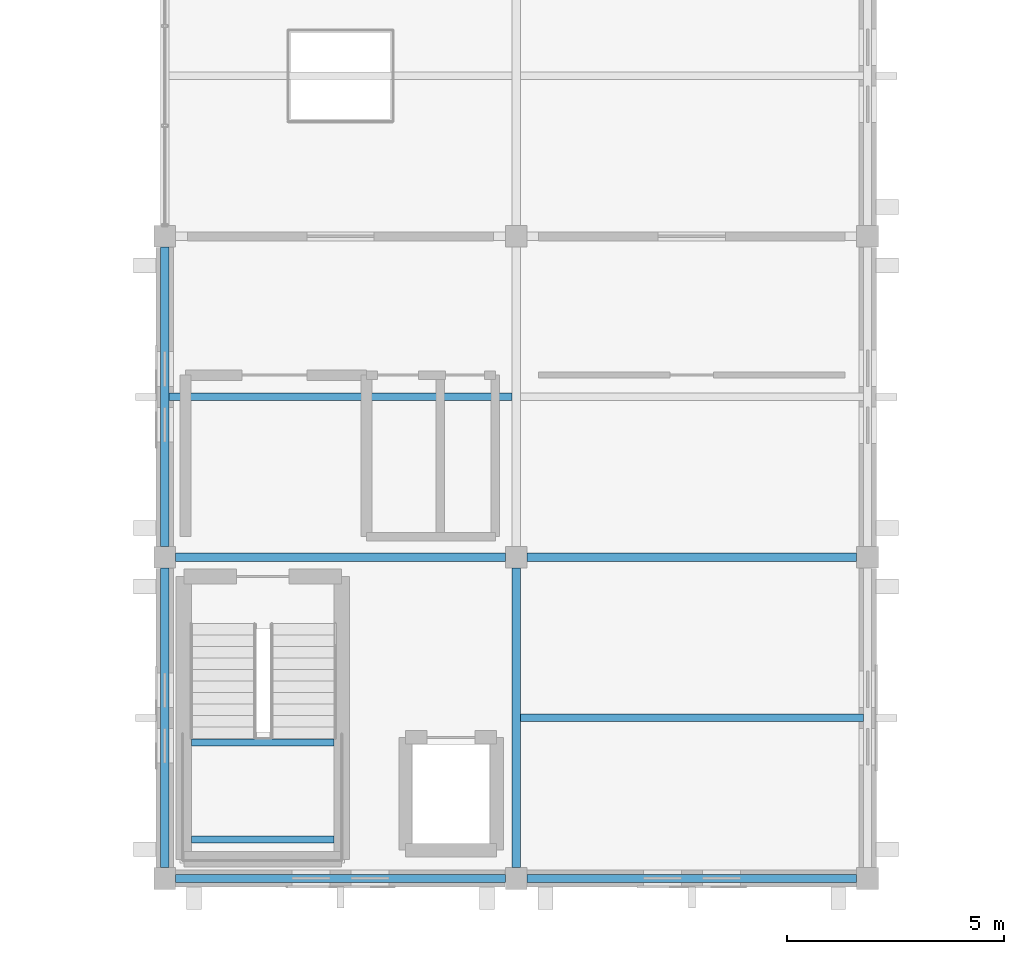
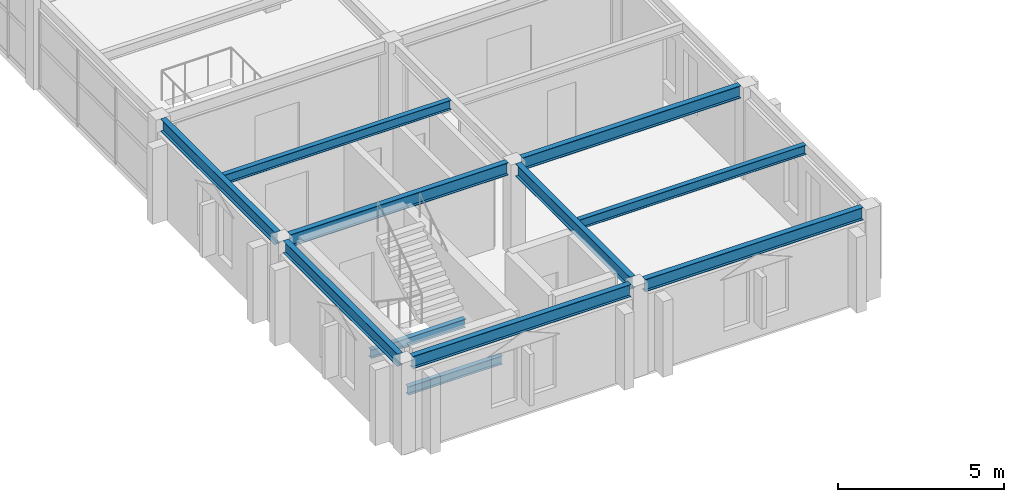
# One storey, part 35 of 93: 11 beams.
"""IFC4 building model written with IfcOpenShell, lengths in metres."""

from ifc_helpers import new_model, si_unit, direction, frame, origin, origin_2d, place, context, subcontext, project, spatial, i_section, extrude, material, material_profile, profile_set, type_object, element, save


model = new_model("IFC4")

# Units and contexts
model_context = context("Model", 3, precision=1e-05, world=origin(), true_north=direction((0.0, 1.0)))
body_context = subcontext(model_context, "Body", "Model", "MODEL_VIEW")
ifc_project = project(units=[si_unit("LENGTHUNIT", "METRE"), si_unit("AREAUNIT", "SQUARE_METRE"), si_unit("VOLUMEUNIT", "CUBIC_METRE"), si_unit("PLANEANGLEUNIT", "RADIAN"), si_unit("MASSUNIT", "GRAM", prefix="KILO")], contexts=[model_context])

# Site, building, storey
site_placement = place(None, origin())
site = spatial("IfcSite", under=ifc_project, at=site_placement, CompositionType="ELEMENT")
building_placement = place(site_placement, origin())
building = spatial("IfcBuilding", under=site, at=building_placement, Name="Cimatlan Art Gallery", CompositionType="ELEMENT")
storey_placement = place(building_placement, frame((0.0, 0.0, 13.800048828125)))
storey = spatial("IfcBuildingStorey", under=building, at=storey_placement, Name="L03", CompositionType="ELEMENT", Elevation=13.800048828125)

# Beams
ifc_material = material(Name="Steel ASTM A992 Grade 50", Category="steel")
ifc_material_profile_1 = material_profile(ifc_material, i_section(OverallWidth=0.1650390625, OverallDepth=0.31005859375, WebThickness=0.005859375, FlangeThickness=0.009765625, at=origin_2d()), Name="W12X26")
ifc_profile_set_1 = profile_set([ifc_material_profile_1], Name="Steel ASTM A992 Grade 50")
beam_type_1 = type_object("IfcBeamType", Name="BM-STL-W12X26", PredefinedType="JOIST", material=ifc_profile_set_1)
for number, where, z_axis, x_axis, name in (
    (1, (116.014892578125, 24.800048828125, 1.425048828125), (1.0, 0.0, 0.0), (0.0, 1.0, 0.0), "BM-STR-C4-L03-LH1"),
    (2, (116.014892578125, 27.030029296875, 1.425048828125), (1.0, 0.0, 0.0), (0.0, 1.0, 0.0), "BM-STR-C4-L03-LH2"),
):
    element("IfcBeam", number, at=place(storey_placement, frame(where, z_axis=z_axis, x_axis=x_axis)), inside=storey, type_object=beam_type_1, Name=name, PredefinedType="JOIST", context=body_context, shape_type="SweptSolid", body=[
        extrude(i_section(OverallWidth=0.1650390625, OverallDepth=0.31005859375, WebThickness=0.005859375, FlangeThickness=0.009765625, at=origin_2d()), origin(), (0.0, 0.0, 1.0), 3.2900390625),
    ])
ifc_material_profile_2 = material_profile(ifc_material, i_section(OverallWidth=0.1708984375, OverallDepth=0.35107421875, WebThickness=0.0068359375, FlangeThickness=0.009765625, at=origin_2d()), Name="W14X30")
ifc_profile_set_2 = profile_set([ifc_material_profile_2], Name="Steel ASTM A992 Grade 50")
beam_type_2 = type_object("IfcBeamType", Name="BM-STL-W14X30", PredefinedType="JOIST", material=ifc_profile_set_2)
for number, where, z_axis, x_axis, name in (
    (3, (115.49560546875, 35.0, 3.204345703125), (1.0, 0.0, 0.0), (0.0, 1.0, 0.0), "JST-L03-14-04"),
    (4, (123.595458984375, 27.60009765625, 3.204345703125), (1.0, 0.0, 0.0), (0.0, 1.0, 0.0), "JST-L03-15-03"),
):
    element("IfcBeam", number, at=place(storey_placement, frame(where, z_axis=z_axis, x_axis=x_axis)), inside=storey, type_object=beam_type_2, Name=name, PredefinedType="JOIST", context=body_context, shape_type="SweptSolid", body=[
        extrude(i_section(OverallWidth=0.1708984375, OverallDepth=0.35107421875, WebThickness=0.0068359375, FlangeThickness=0.009765625, at=origin_2d()), origin(), (0.0, 0.0, 1.0), 7.908935546875),
    ])
ifc_material_profile_3 = material_profile(ifc_material, i_section(OverallWidth=0.19091796875, OverallDepth=0.45703125, WebThickness=0.009033203125, FlangeThickness=0.014404296875, at=origin_2d()), Name="W18X50")
ifc_profile_set_3 = profile_set([ifc_material_profile_3], Name="Steel ASTM A992 Grade 50")
beam_type_3 = type_object("IfcBeamType", Name="BM-STL-W18X50", PredefinedType="BEAM", material=ifc_profile_set_3)
beam_1_placement = place(storey_placement, frame((115.39990234375, 24.14990234375, 3.1513671875), z_axis=(0.0, 1.0, 0.0), x_axis=(-1.0, 0.0, 0.0)))
element("IfcBeam", 5, at=beam_1_placement, inside=storey, type_object=beam_type_3, Name="BM-Y-L03-14-03", PredefinedType="BEAM", context=body_context, shape_type="SweptSolid", body=[
    extrude(i_section(OverallWidth=0.19091796875, OverallDepth=0.45703125, WebThickness=0.009033203125, FlangeThickness=0.014404296875, at=origin_2d()), origin(), (0.0, 0.0, 1.0), 6.900146484375),
])
beam_2_placement = place(storey_placement, frame((115.39990234375, 31.550048828125, 3.1513671875), z_axis=(0.0, 1.0, 0.0), x_axis=(-1.0, 0.0, 0.0)))
element("IfcBeam", 6, at=beam_2_placement, inside=storey, type_object=beam_type_3, Name="BM-Y-L03-14-04", PredefinedType="BEAM", context=body_context, shape_type="SweptSolid", body=[
    extrude(i_section(OverallWidth=0.19091796875, OverallDepth=0.45703125, WebThickness=0.009033203125, FlangeThickness=0.014404296875, at=origin_2d()), origin(), (0.0, 0.0, 1.0), 6.89990234375),
])
beam_3_placement = place(storey_placement, frame((123.5, 24.14990234375, 3.1513671875), z_axis=(0.0, 1.0, 0.0), x_axis=(-1.0, 0.0, 0.0)))
element("IfcBeam", 7, at=beam_3_placement, inside=storey, type_object=beam_type_3, Name="BM-Y-L03-15-03", PredefinedType="BEAM", context=body_context, shape_type="SweptSolid", body=[
    extrude(i_section(OverallWidth=0.19091796875, OverallDepth=0.45703125, WebThickness=0.009033203125, FlangeThickness=0.014404296875, at=origin_2d()), origin(), (0.0, 0.0, 1.0), 6.900146484375),
])
for number, where, z_axis, x_axis, name in (
    (8, (115.64990234375, 23.89990234375, 3.1513671875), (1.0, 0.0, 0.0), (0.0, 1.0, 0.0), "BM-X-L03-14-03"),
    (9, (115.64990234375, 31.300048828125, 3.1513671875), (1.0, 0.0, 0.0), (0.0, 1.0, 0.0), "BM-X-L03-14-04"),
    (10, (123.75, 23.89990234375, 3.1513671875), (1.0, 0.0, 0.0), (0.0, 1.0, 0.0), "BM-X-L03-15-03"),
    (11, (123.75, 31.300048828125, 3.1513671875), (1.0, 0.0, 0.0), (0.0, 1.0, 0.0), "BM-X-L03-15-04"),
):
    element("IfcBeam", number, at=place(storey_placement, frame(where, z_axis=z_axis, x_axis=x_axis)), inside=storey, type_object=beam_type_3, Name=name, PredefinedType="BEAM", context=body_context, shape_type="SweptSolid", body=[
        extrude(i_section(OverallWidth=0.19091796875, OverallDepth=0.45703125, WebThickness=0.009033203125, FlangeThickness=0.014404296875, at=origin_2d()), origin(), (0.0, 0.0, 1.0), 7.60009765625),
    ])

save(model, "model.ifc")
